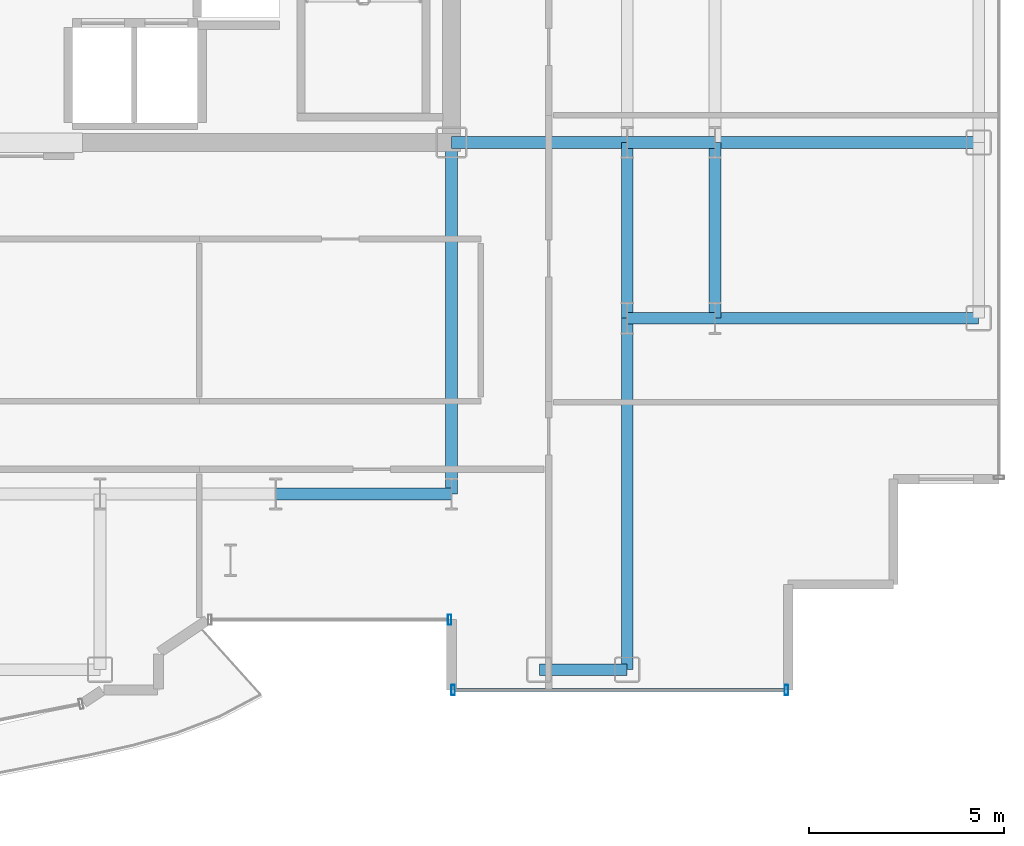
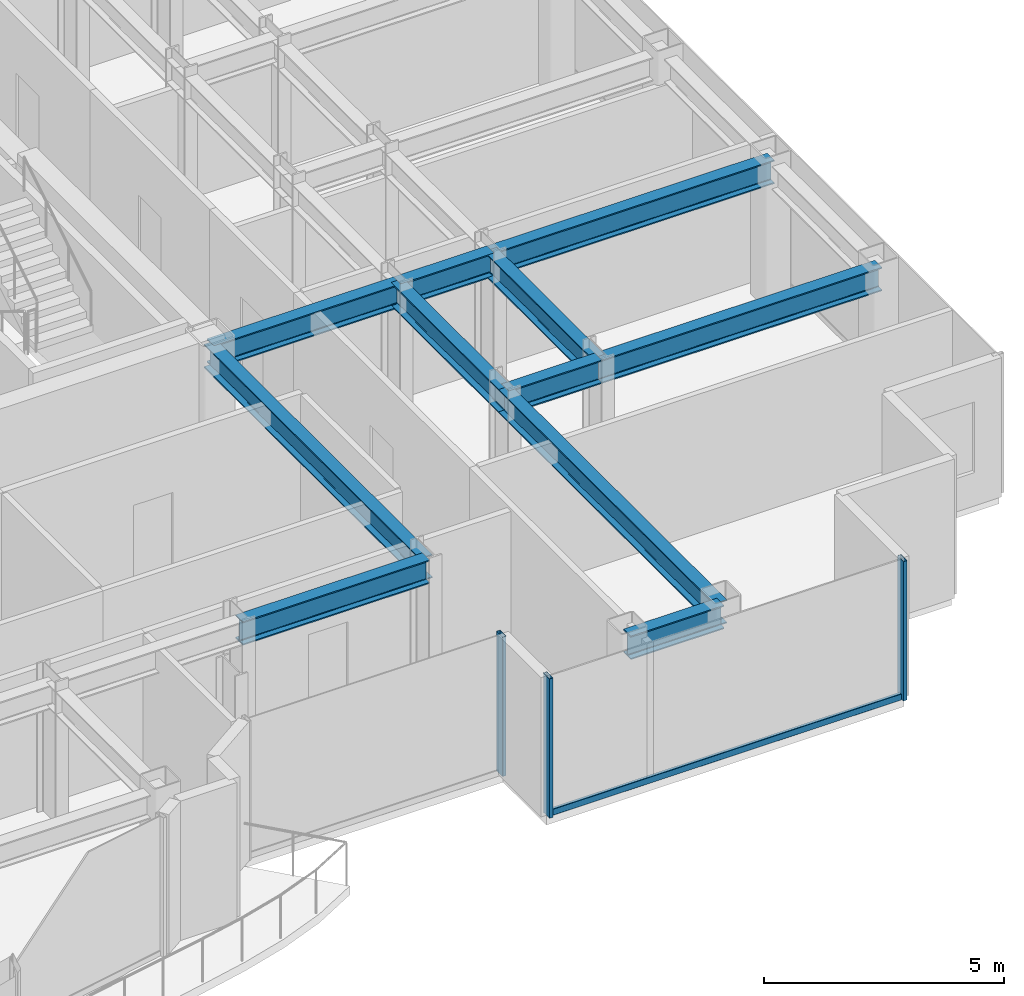
# One storey, part 5 of 21: 11 beams, 4 members, 2 elements without a shape of their own.
"""IFC4 building model written with IfcOpenShell, lengths in metres."""

from ifc_helpers import new_model, si_unit, direction, frame, origin, origin_2d, place, context, subcontext, project, spatial, hollow_rectangle, i_section, extrude, source, transform, mapped, material, layer, layer_set, material_profile, profile_set, type_object, element, aggregate, save


model = new_model("IFC4")

# Units and contexts
model_context = context("Model", 3, precision=1e-05, world=origin(), true_north=direction((0.0, 1.0)))
body_context = subcontext(model_context, "Body", "Model", "MODEL_VIEW")
ifc_project = project(units=[si_unit("LENGTHUNIT", "METRE"), si_unit("AREAUNIT", "SQUARE_METRE"), si_unit("VOLUMEUNIT", "CUBIC_METRE"), si_unit("PLANEANGLEUNIT", "RADIAN"), si_unit("MASSUNIT", "GRAM", prefix="KILO")], contexts=[model_context])

# Site, building, storey
site_placement = place(None, origin())
site = spatial("IfcSite", under=ifc_project, at=site_placement, CompositionType="ELEMENT")
building_placement = place(site_placement, origin())
building = spatial("IfcBuilding", under=site, at=building_placement, Name="Nefas-Gora Pilgrimage Tower", CompositionType="ELEMENT")
storey_placement = place(building_placement, frame((0.0, 0.0, 248.39990234375)))
storey = spatial("IfcBuildingStorey", under=building, at=storey_placement, Name="L62", CompositionType="ELEMENT", Elevation=248.39990234375)

# Beams
ifc_material_1 = material(Name="Steel S355", Category="steel")
ifc_material_profile_1 = material_profile(ifc_material_1, i_section(OverallWidth=0.300048828125, OverallDepth=0.60009765625, WebThickness=0.015380859375, FlangeThickness=0.030029296875, FilletRadius=0.027099609375, at=origin_2d()), Name="HEB 600")
ifc_profile_set_1 = profile_set([ifc_material_profile_1], Name="Steel S355")
beam_type_1 = type_object("IfcBeamType", Name="BM-GIR-HEB600", PredefinedType="BEAM", material=ifc_profile_set_1)
shared_shape_1 = source(origin(), body_context, "Body", "SweptSolid", [
    extrude(i_section(OverallWidth=0.300048828125, OverallDepth=0.60009765625, WebThickness=0.015380859375, FlangeThickness=0.030029296875, FilletRadius=0.027099609375, at=origin_2d()), origin(), (0.0, 0.0, 1.0), 9.0),
])
for number, where, z_axis, x_axis, name in (
    (1, (11.25, -18.0, 3.25), (0.0, 1.0, 0.0), (-1.0, 0.0, 0.0), "L62 G-04 beam"),
    (2, (15.75, -22.5, 3.25), (0.0, 1.0, 0.0), (-1.0, 0.0, 0.0), "L62 G-04 beam"),
):
    element("IfcBeam", number, at=place(storey_placement, frame(where, z_axis=z_axis, x_axis=x_axis)), inside=storey, type_object=beam_type_1, Name=name, PredefinedType="BEAM", context=body_context, shape_type="MappedRepresentation", body=[
        mapped(shared_shape_1, transform((0.0, 0.0, 0.0), x_axis=(1.0, 0.0, 0.0), y_axis=(0.0, 1.0, 0.0), z_axis=(0.0, 0.0, 1.0), scale=1.0)),
    ])
shared_shape_2 = source(origin(), body_context, "Body", "SweptSolid", [
    extrude(i_section(OverallWidth=0.300048828125, OverallDepth=0.60009765625, WebThickness=0.015380859375, FlangeThickness=0.030029296875, FilletRadius=0.027099609375, at=origin_2d()), origin(), (0.0, 0.0, 1.0), 4.5),
])
for number, where, z_axis, x_axis, name in (
    (3, (6.75, -18.0, 3.25), (1.0, 0.0, 0.0), (0.0, 1.0, 0.0), "L62 G-04 beam"),
    (4, (11.25, -9.0, 3.25), (1.0, 0.0, 0.0), (0.0, 1.0, 0.0), "L62 G-04 beam"),
    (5, (15.75, -13.5, 3.25), (0.0, 1.0, 0.0), (-1.0, 0.0, 0.0), "L62 G-04 beam"),
    (6, (18.0, -13.5, 3.25), (0.0, 1.0, 0.0), (-1.0, 0.0, 0.0), "L62 G-04 beam"),
):
    element("IfcBeam", number, at=place(storey_placement, frame(where, z_axis=z_axis, x_axis=x_axis)), inside=storey, type_object=beam_type_1, Name=name, PredefinedType="BEAM", context=body_context, shape_type="MappedRepresentation", body=[
        mapped(shared_shape_2, transform((0.0, 0.0, 0.0), x_axis=(1.0, 0.0, 0.0), y_axis=(0.0, 1.0, 0.0), z_axis=(0.0, 0.0, 1.0), scale=1.0)),
    ])
shared_shape_3 = source(origin(), body_context, "Body", "SweptSolid", [
    extrude(i_section(OverallWidth=0.300048828125, OverallDepth=0.60009765625, WebThickness=0.015380859375, FlangeThickness=0.030029296875, FilletRadius=0.027099609375, at=origin_2d()), origin(), (0.0, 0.0, 1.0), 6.75),
])
for number, where, z_axis, x_axis, name in (
    (7, (18.0, -13.5, 3.25), (1.0, 0.0, 0.0), (0.0, 1.0, 0.0), "L62 G-04 beam"),
    (8, (18.0, -9.0, 3.25), (1.0, 0.0, 0.0), (0.0, 1.0, 0.0), "L62 G-04 beam"),
):
    element("IfcBeam", number, at=place(storey_placement, frame(where, z_axis=z_axis, x_axis=x_axis)), inside=storey, type_object=beam_type_1, Name=name, PredefinedType="BEAM", context=body_context, shape_type="MappedRepresentation", body=[
        mapped(shared_shape_3, transform((0.0, 0.0, 0.0), x_axis=(1.0, 0.0, 0.0), y_axis=(0.0, 1.0, 0.0), z_axis=(0.0, 0.0, 1.0), scale=1.0)),
    ])
ifc_material_profile_2 = material_profile(ifc_material_1, i_section(OverallWidth=0.300048828125, OverallDepth=0.60009765625, WebThickness=0.015380859375, FlangeThickness=0.030029296875, FilletRadius=0.027099609375, at=origin_2d()), Name="HEB 600")
ifc_profile_set_2 = profile_set([ifc_material_profile_2], Name="Steel S355")
beam_type_2 = type_object("IfcBeamType", Name="BM-SPN-HEB450", PredefinedType="SPANDREL", material=ifc_profile_set_2)
shared_shape_4 = source(origin(), body_context, "Body", "SweptSolid", [
    extrude(i_section(OverallWidth=0.300048828125, OverallDepth=0.60009765625, WebThickness=0.015380859375, FlangeThickness=0.030029296875, FilletRadius=0.027099609375, at=origin_2d()), origin(), (0.0, 0.0, 1.0), 2.25),
])
beam_placement = place(storey_placement, frame((13.5, -22.5, 3.25), z_axis=(1.0, 0.0, 0.0), x_axis=(0.0, 1.0, 0.0)))
element("IfcBeam", 9, at=beam_placement, inside=storey, type_object=beam_type_2, Name="L62 SP-03 beam", PredefinedType="SPANDREL", context=body_context, shape_type="MappedRepresentation", body=[
    mapped(shared_shape_4, transform((0.0, 0.0, 0.0), x_axis=(1.0, 0.0, 0.0), y_axis=(0.0, 1.0, 0.0), z_axis=(0.0, 0.0, 1.0), scale=1.0)),
])
shared_shape_5 = source(origin(), body_context, "Body", "SweptSolid", [
    extrude(i_section(OverallWidth=0.300048828125, OverallDepth=0.60009765625, WebThickness=0.015380859375, FlangeThickness=0.030029296875, FilletRadius=0.027099609375, at=origin_2d()), origin(), (0.0, 0.0, 1.0), 2.25),
])
for number, where, z_axis, x_axis, name in (
    (10, (15.75, -13.5, 3.25), (1.0, 0.0, 0.0), (0.0, 1.0, 0.0), "L62 G-04 beam"),
    (11, (15.75, -9.0, 3.25), (1.0, 0.0, 0.0), (0.0, 1.0, 0.0), "L62 G-04 beam"),
):
    element("IfcBeam", number, at=place(storey_placement, frame(where, z_axis=z_axis, x_axis=x_axis)), inside=storey, type_object=beam_type_1, Name=name, PredefinedType="BEAM", context=body_context, shape_type="MappedRepresentation", body=[
        mapped(shared_shape_5, transform((0.0, 0.0, 0.0), x_axis=(1.0, 0.0, 0.0), y_axis=(0.0, 1.0, 0.0), z_axis=(0.0, 0.0, 1.0), scale=1.0)),
    ])

# Curtain wall, member
ifc_material_2 = material(Name="Dark ceramic-fritted solar-control aluminium-glass curtain wall", Category="aluminium")
ifc_layer_1 = layer(ifc_material_2, 0.219970703125)
ifc_layer_set_1 = layer_set([ifc_layer_1], Name="Dark ceramic-fritted solar-control aluminium-glass curtain wall")
curtain_wall_type_1 = type_object("IfcCurtainWallType", Name="CW-SYS-5", PredefinedType="NOTDEFINED", material=ifc_layer_set_1)
curtain_wall_1_placement = place(storey_placement, origin())
curtain_wall_1 = element("IfcCurtainWall", 12, at=curtain_wall_1_placement, inside=storey, type_object=curtain_wall_type_1, Name="L62 Unitised Curtain Wall CW5", PredefinedType="NOTDEFINED")
ifc_material_3 = material(Name="Anodised architectural aluminium", Category="aluminium")
ifc_material_profile_3 = material_profile(ifc_material_3, hollow_rectangle(XDim=0.090087890625, YDim=0.260009765625, WallThickness=0.006103515625, InnerFilletRadius=0.006103515625, OuterFilletRadius=0.011962890625, at=origin_2d()), Name="ALU MULLION 90x260")
ifc_profile_set_3 = profile_set([ifc_material_profile_3], Name="Anodised architectural aluminium")
member_type_1 = type_object("IfcMemberType", Name="CWM-MUL-5", PredefinedType="MULLION", material=ifc_profile_set_3)
shared_shape_6 = source(origin(), body_context, "Body", "SweptSolid", [
    extrude(hollow_rectangle(XDim=0.090087890625, YDim=0.260009765625, WallThickness=0.006103515625, InnerFilletRadius=0.006103515625, OuterFilletRadius=0.011962890625, at=origin_2d()), origin(), (0.0, 0.0, 1.0), 3.550048828125),
])
member_1_placement = place(storey_placement, frame((11.205078125, -21.219970703125, 0.0), z_axis=(0.0, 0.0, 1.0), x_axis=(1.0, 0.0, 0.0)))
member_1 = element("IfcMember", 13, at=member_1_placement, type_object=member_type_1, Name="CW5 Mullion 2", PredefinedType="MULLION", context=body_context, shape_type="MappedRepresentation", body=[
    mapped(shared_shape_6, transform((0.0, 0.0, 0.0), x_axis=(1.0, 0.0, 0.0), y_axis=(0.0, 1.0, 0.0), z_axis=(0.0, 0.0, 1.0), scale=1.0)),
])
aggregate(curtain_wall_1, [member_1])

# Curtain wall, members
ifc_layer_2 = layer(ifc_material_2, 0.219970703125)
ifc_layer_set_2 = layer_set([ifc_layer_2], Name="Dark ceramic-fritted solar-control aluminium-glass curtain wall")
curtain_wall_type_2 = type_object("IfcCurtainWallType", Name="CW-SYS-3", PredefinedType="NOTDEFINED", material=ifc_layer_set_2)
curtain_wall_2_placement = place(storey_placement, origin())
curtain_wall_2 = element("IfcCurtainWall", 14, at=curtain_wall_2_placement, inside=storey, type_object=curtain_wall_type_2, Name="L62 Unitised Curtain Wall CW3", PredefinedType="NOTDEFINED")
ifc_material_profile_4 = material_profile(ifc_material_3, hollow_rectangle(XDim=0.090087890625, YDim=0.260009765625, WallThickness=0.006103515625, InnerFilletRadius=0.006103515625, OuterFilletRadius=0.011962890625, at=origin_2d()), Name="ALU MULLION 90x260")
ifc_profile_set_4 = profile_set([ifc_material_profile_4], Name="Anodised architectural aluminium")
member_type_2 = type_object("IfcMemberType", Name="CWM-MUL-3", PredefinedType="MULLION", material=ifc_profile_set_4)
shared_shape_7 = source(origin(), body_context, "Body", "SweptSolid", [
    extrude(hollow_rectangle(XDim=0.090087890625, YDim=0.260009765625, WallThickness=0.006103515625, InnerFilletRadius=0.006103515625, OuterFilletRadius=0.011962890625, at=origin_2d()), origin(), (0.0, 0.0, 1.0), 3.550048828125),
])
member_2_placement = place(storey_placement, frame((11.294921875, -23.02001953125, 0.0), z_axis=(0.0, 0.0, 1.0), x_axis=(1.0, 0.0, 0.0)))
member_2 = element("IfcMember", 15, at=member_2_placement, type_object=member_type_2, Name="CW3 Mullion 1", PredefinedType="MULLION", context=body_context, shape_type="MappedRepresentation", body=[
    mapped(shared_shape_7, transform((0.0, 0.0, 0.0), x_axis=(1.0, 0.0, 0.0), y_axis=(0.0, 1.0, 0.0), z_axis=(0.0, 0.0, 1.0), scale=1.0)),
])
member_3_placement = place(storey_placement, frame((19.824951171875, -23.02001953125, 0.0), z_axis=(0.0, 0.0, 1.0), x_axis=(1.0, 0.0, 0.0)))
member_3 = element("IfcMember", 16, at=member_3_placement, type_object=member_type_2, Name="CW3 Mullion 2", PredefinedType="MULLION", context=body_context, shape_type="MappedRepresentation", body=[
    mapped(shared_shape_7, transform((0.0, 0.0, 0.0), x_axis=(1.0, 0.0, 0.0), y_axis=(0.0, 1.0, 0.0), z_axis=(0.0, 0.0, 1.0), scale=1.0)),
])
ifc_material_profile_5 = material_profile(ifc_material_3, hollow_rectangle(XDim=0.080078125, YDim=0.159912109375, WallThickness=0.00439453125, InnerFilletRadius=0.00439453125, OuterFilletRadius=0.009033203125, at=origin_2d()), Name="ALU TRANSOM 80x160")
ifc_profile_set_5 = profile_set([ifc_material_profile_5], Name="Anodised architectural aluminium")
member_type_3 = type_object("IfcMemberType", Name="CWM-TRN-3", PredefinedType="USERDEFINED", material=ifc_profile_set_5)
shared_shape_8 = source(origin(), body_context, "Body", "SweptSolid", [
    extrude(hollow_rectangle(XDim=0.080078125, YDim=0.159912109375, WallThickness=0.00439453125, InnerFilletRadius=0.00439453125, OuterFilletRadius=0.009033203125, at=origin_2d()), origin(), (0.0, 0.0, 1.0), 8.43994140625),
])
member_4_placement = place(storey_placement, frame((11.340087890625, -23.02001953125, 0.050048828125), z_axis=(1.0, 0.0, 0.0), x_axis=(0.0, 1.0, 0.0)))
member_4 = element("IfcMember", 17, at=member_4_placement, type_object=member_type_3, Name="CW3 Spandrel Transom", ObjectType="TRANSOM", PredefinedType="USERDEFINED", context=body_context, shape_type="MappedRepresentation", body=[
    mapped(shared_shape_8, transform((0.0, 0.0, 0.0), x_axis=(1.0, 0.0, 0.0), y_axis=(0.0, 1.0, 0.0), z_axis=(0.0, 0.0, 1.0), scale=1.0)),
])
aggregate(curtain_wall_2, [member_2, member_3, member_4])

save(model, "model.ifc")
